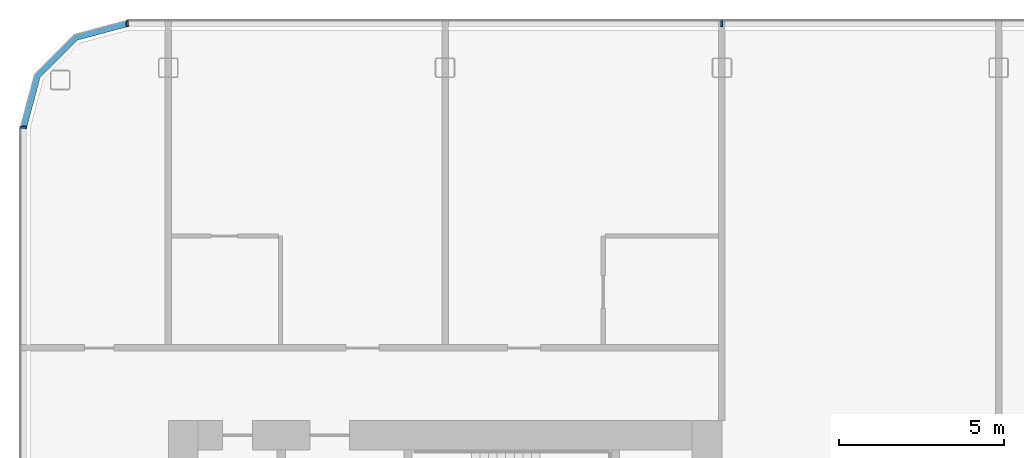
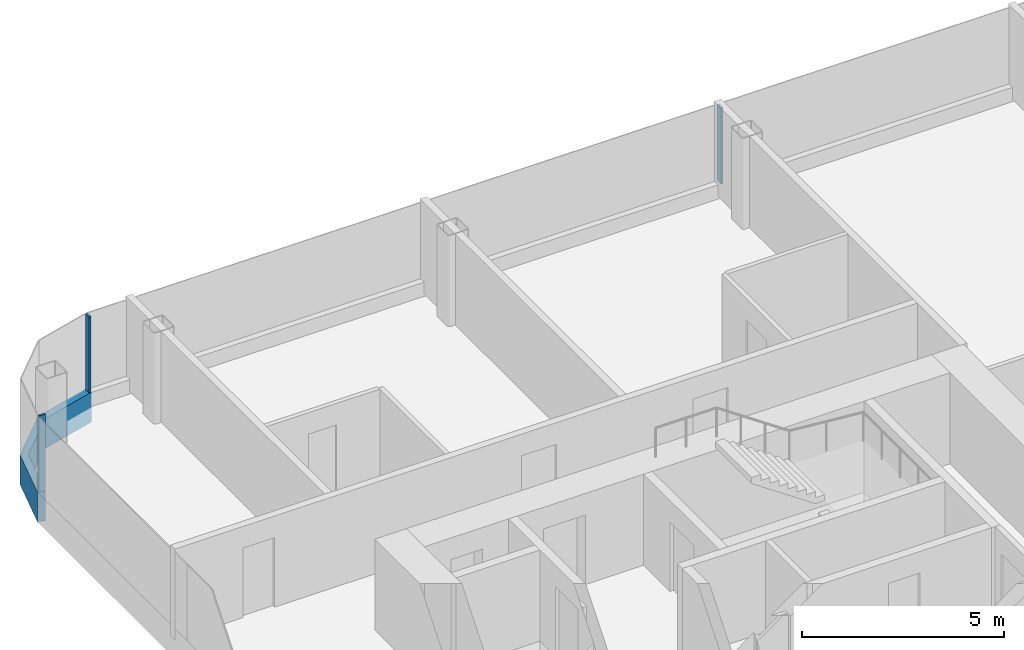
# One storey, part 6 of 26: 4 members, 3 elements without a shape of their own.
"""IFC4 building model written with IfcOpenShell, lengths in metres."""

from ifc_helpers import new_model, si_unit, direction, frame, origin, origin_2d, place, context, subcontext, project, spatial, polyline, rectangle, outline, extrude, material, layer, layer_set, material_profile, profile_set, type_object, element, aggregate, save


model = new_model("IFC4")

# Units and contexts
model_context = context("Model", 3, precision=1e-05, world=origin(), true_north=direction((0.0, 1.0)))
body_context = subcontext(model_context, "Body", "Model", "MODEL_VIEW")
ifc_project = project(units=[si_unit("LENGTHUNIT", "METRE"), si_unit("AREAUNIT", "SQUARE_METRE"), si_unit("VOLUMEUNIT", "CUBIC_METRE"), si_unit("PLANEANGLEUNIT", "RADIAN"), si_unit("MASSUNIT", "GRAM", prefix="KILO")], contexts=[model_context])

# Site, building, storey
site_placement = place(None, origin())
site = spatial("IfcSite", under=ifc_project, at=site_placement, CompositionType="ELEMENT")
building_placement = place(site_placement, origin())
building = spatial("IfcBuilding", under=site, at=building_placement, Name="Hakoniwa Tower and Hamabe Station Hall", CompositionType="ELEMENT")
storey_placement = place(building_placement, frame((0.0, 0.0, 209.0)))
storey = spatial("IfcBuildingStorey", under=building, at=storey_placement, Name="L59", CompositionType="ELEMENT", Elevation=209.0)

# Curtain wall, member
ifc_material_1 = material(Name="Dark low-e laminated glass", Category="glass")
ifc_layer = layer(ifc_material_1, 0.199951171875)
ifc_layer_set = layer_set([ifc_layer], Name="CW-1 UNITISED GUEST")
curtain_wall_type = type_object("IfcCurtainWallType", Name="CW-1 UNITISED GUEST", PredefinedType="NOTDEFINED", material=ifc_layer_set)
curtain_wall_1_placement = place(storey_placement, origin())
curtain_wall_1 = element("IfcCurtainWall", 1, at=curtain_wall_1_placement, inside=storey, type_object=curtain_wall_type, Name="CW-1 curtain wall", PredefinedType="NOTDEFINED")
ifc_material_2 = material(Name="Aluminium 6063-T5 black anodised", Category="aluminium")
ifc_material_profile_1 = material_profile(ifc_material_2, rectangle(XDim=0.199951171875, YDim=0.89990234375, at=origin_2d()), Name="CW SLAB-EDGE BAND 900X200")
ifc_profile_set_1 = profile_set([ifc_material_profile_1], Name="Aluminium 6063-T5 black anodised")
member_type_1 = type_object("IfcMemberType", Name="CW SLAB-EDGE BAND 900X200", PredefinedType="USERDEFINED", material=ifc_profile_set_1)
member_1_placement = place(storey_placement, frame((0.0, 0.0, -0.550048828125)))
member_1 = element("IfcMember", 2, at=member_1_placement, type_object=member_type_1, Name="CW-1 transom", ObjectType="TRANSOM", PredefinedType="USERDEFINED", context=body_context, shape_type="SweptSolid", body=[
    extrude(outline(polyline([(-34.839599609375, 20.550048828125), (-36.455322265625, 20.116943359375), (-37.6669921875, 18.9052734375), (-38.10009765625, 17.28955078125), (-37.90673828125, 17.23779296875), (-37.48779296875, 18.8017578125), (-36.351806640625, 19.937744140625), (-34.787841796875, 20.35693359375), (-34.839599609375, 20.550048828125)])), origin(), (0.0, 0.0, 1.0), 0.900146484375),
])
aggregate(curtain_wall_1, [member_1])

# Curtain wall, members
curtain_wall_2_placement = place(storey_placement, origin())
curtain_wall_2 = element("IfcCurtainWall", 3, at=curtain_wall_2_placement, inside=storey, type_object=curtain_wall_type, Name="CW-1 curtain wall", PredefinedType="NOTDEFINED")
ifc_material_3 = material(Name="Aluminium 6063-T5 black anodised", Category="aluminium")
ifc_material_profile_2 = material_profile(ifc_material_3, rectangle(XDim=0.06005859375, YDim=0.179931640625, at=origin_2d()), Name="CW-1 MULLION 60X180")
ifc_profile_set_2 = profile_set([ifc_material_profile_2], Name="Aluminium 6063-T5 black anodised")
member_type_2 = type_object("IfcMemberType", Name="CW-1 MULLION 60X180", PredefinedType="MULLION", material=ifc_profile_set_2)
member_2_placement = place(storey_placement, frame((-16.800048828125, 20.431884765625, 0.35009765625), z_axis=(0.0, 0.0, 1.0), x_axis=(-1.0, 0.0, 0.0)))
member_2 = element("IfcMember", 4, at=member_2_placement, type_object=member_type_2, Name="CW-1 mullion", PredefinedType="MULLION", context=body_context, shape_type="SweptSolid", body=[
    extrude(rectangle(XDim=0.06005859375, YDim=0.179931640625, at=origin_2d()), origin(), (0.0, 0.0, 1.0), 2.2998046875),
])
member_3_placement = place(storey_placement, frame((-34.839599609375, 20.431884765625, 0.35009765625), z_axis=(0.0, 0.0, 1.0), x_axis=(-1.0, 0.0, 0.0)))
member_3 = element("IfcMember", 5, at=member_3_placement, type_object=member_type_2, Name="CW-1 mullion", PredefinedType="MULLION", context=body_context, shape_type="SweptSolid", body=[
    extrude(rectangle(XDim=0.06005859375, YDim=0.179931640625, at=origin_2d()), origin(), (0.0, 0.0, 1.0), 2.2998046875),
])
aggregate(curtain_wall_2, [member_2, member_3])

# Curtain wall, member
curtain_wall_3_placement = place(storey_placement, origin())
curtain_wall_3 = element("IfcCurtainWall", 6, at=curtain_wall_3_placement, inside=storey, type_object=curtain_wall_type, Name="CW-1 curtain wall", PredefinedType="NOTDEFINED")
member_4_placement = place(storey_placement, frame((-37.98193359375, 17.28955078125, 0.35009765625), z_axis=(0.0, 0.0, 1.0), x_axis=(0.0, -1.0, 0.0)))
member_4 = element("IfcMember", 7, at=member_4_placement, type_object=member_type_2, Name="CW-1 mullion", PredefinedType="MULLION", context=body_context, shape_type="SweptSolid", body=[
    extrude(rectangle(XDim=0.06005859375, YDim=0.179931640625, at=origin_2d()), origin(), (0.0, 0.0, 1.0), 2.2998046875),
])
aggregate(curtain_wall_3, [member_4])

save(model, "model.ifc")
